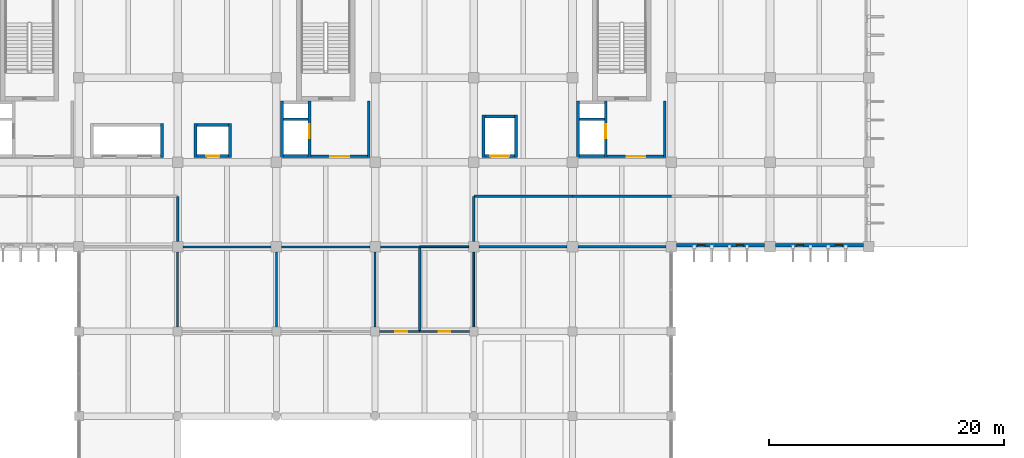
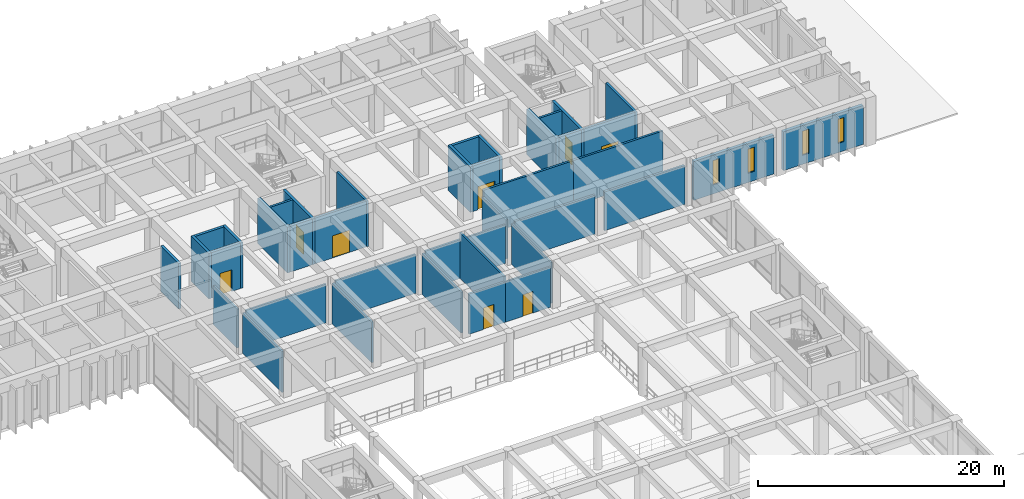
# One storey, part 37 of 52: 40 walls, 8 doors, 4 windows, 12 openings.
"""IFC4 building model written with IfcOpenShell, lengths in metres."""

from ifc_helpers import new_model, si_unit, direction, frame, frame_2d, origin, place, context, subcontext, project, spatial, rectangle, extrude, material, layer, layer_set, type_object, element, fill, save


model = new_model("IFC4")

# Units and contexts
model_context = context("Model", 3, precision=1e-05, world=origin(), true_north=direction((0.0, 1.0)))
body_context = subcontext(model_context, "Body", "Model", "MODEL_VIEW")
ifc_project = project(units=[si_unit("LENGTHUNIT", "METRE"), si_unit("AREAUNIT", "SQUARE_METRE"), si_unit("VOLUMEUNIT", "CUBIC_METRE"), si_unit("PLANEANGLEUNIT", "RADIAN"), si_unit("MASSUNIT", "GRAM", prefix="KILO")], contexts=[model_context])

# Site, building, storey
site_placement = place(None, origin())
site = spatial("IfcSite", under=ifc_project, at=site_placement, CompositionType="ELEMENT")
building_placement = place(site_placement, origin())
building = spatial("IfcBuilding", under=site, at=building_placement, Name="Kenerak Square Central Library", CompositionType="ELEMENT")
storey_placement = place(building_placement, frame((0.0, 0.0, 4.800048828125)))
storey = spatial("IfcBuildingStorey", under=building, at=storey_placement, Name="L01", CompositionType="ELEMENT", Elevation=4.800048828125)

# Wall, opening, door
ifc_material_1 = material(Name="Precast concrete C40/50", Category="concrete")
ifc_layer_1 = layer(ifc_material_1, 0.14990234375)
ifc_layer_set_1 = layer_set([ifc_layer_1], Name="Precast concrete C40/50")
wall_type_1 = type_object("IfcWallType", Name="Acoustic Blockwork Partition IW-150 C40/50", PredefinedType="PARTITIONING", material=ifc_layer_set_1)
wall_1_placement = place(storey_placement, frame((100.02490234375, 81.60009765625, 0.0), z_axis=(0.0, 0.0, 1.0), x_axis=(-1.0, 0.0, 0.0)))
wall_1 = element("IfcWall", 1, at=wall_1_placement, inside=storey, type_object=wall_type_1, Name="Interior Wall IW-L01-19-S1-B1", PredefinedType="PARTITIONING", context=body_context, shape_type="SweptSolid", body=[
    extrude(rectangle(XDim=4.224853515625, YDim=0.14990234375, at=frame_2d((2.1123046875, 0.0))), origin(), (0.0, 0.0, 1.0), 4.0),
])
opening_1_placement = place(wall_1_placement, frame((1.637451171875, 0.0, 0.0)))
opening_1 = element("IfcOpeningElement", 2, at=opening_1_placement, cuts=wall_1, Name="Opening ID-02", PredefinedType="OPENING", context=body_context, shape_type="SweptSolid", body=[
    extrude(rectangle(XDim=0.949951171875, YDim=2.14990234375, at=frame_2d((0.47509765625, 1.074951171875))), frame((0.0, 0.0849609375, 0.0), z_axis=(0.0, -1.0, 0.0), x_axis=(1.0, 0.0, 0.0)), (0.0, 0.0, 1.0), 0.169921875),
])
ifc_material_2 = material(Name="Chengal hardwood timber SG1", Category="wood")
door_type_1 = type_object("IfcDoorType", Name="Study Carrel Timber Door ID-950x2150", OperationType="NOTDEFINED", PredefinedType="DOOR", material=ifc_material_2)
door_1_placement = place(opening_1_placement, origin())
door_1 = element("IfcDoor", 3, at=door_1_placement, inside=storey, type_object=door_type_1, Name="Level 01 Individual Quiet Study Carrel Suite Door", OperationType="SINGLE_SWING_RIGHT", OverallHeight=2.14990234375, OverallWidth=0.949951171875, PredefinedType="DOOR", context=body_context, shape_type="SweptSolid", body=[
    extrude(rectangle(XDim=0.949951171875, YDim=2.14990234375, at=frame_2d((0.47509765625, 1.074951171875))), frame((0.0, 0.02490234375, 0.0), z_axis=(0.0, -1.0, 0.0), x_axis=(1.0, 0.0, 0.0)), (0.0, 0.0, 1.0), 0.050048828125),
])
fill(opening_1, door_1)

# Walls
wall_2_placement = place(storey_placement, frame((95.800048828125, 88.800048828125, 0.0), z_axis=(0.0, 0.0, 1.0), x_axis=(1.0, 0.0, 0.0)))
element("IfcWall", 4, at=wall_2_placement, inside=storey, type_object=wall_type_1, Name="Interior Wall IW-L01-19-N2-B1", PredefinedType="PARTITIONING", context=body_context, shape_type="SweptSolid", body=[
    extrude(rectangle(XDim=4.14990234375, YDim=0.14990234375, at=frame_2d((2.074951171875, 0.0))), origin(), (0.0, 0.0, 1.0), 3.849853515625),
])
wall_3_placement = place(storey_placement, frame((100.39990234375, 88.35009765625, 0.0), z_axis=(0.0, 0.0, 1.0), x_axis=(0.0, -1.0, 0.0)))
element("IfcWall", 5, at=wall_3_placement, inside=storey, type_object=wall_type_1, Name="Interior Wall IW-L01-19-E4-B1", PredefinedType="PARTITIONING", context=body_context, shape_type="SweptSolid", body=[
    extrude(rectangle(XDim=6.375, YDim=0.14990234375, at=frame_2d((3.1875, 0.0))), origin(), (0.0, 0.0, 1.0), 4.050048828125),
])

# Wall, openings, windows
ifc_material_3 = material(Name="Concrete C40/50", Category="concrete")
ifc_layer_2 = layer(ifc_material_3, 0.300048828125)
ifc_layer_set_2 = layer_set([ifc_layer_2], Name="Concrete C40/50")
wall_type_2 = type_object("IfcWallType", Name="Board-Marked Brutalist Facade Wall EW-300 C40/50", PredefinedType="SOLIDWALL", material=ifc_layer_set_2)
wall_4_placement = place(storey_placement, frame((133.550048828125, 88.949951171875, 0.0), z_axis=(0.0, 0.0, 1.0), x_axis=(-1.0, 0.0, 0.0)))
wall_4 = element("IfcWall", 6, at=wall_4_placement, inside=storey, type_object=wall_type_2, Name="Exterior Facade Wall L01 0127", PredefinedType="SOLIDWALL", context=body_context, shape_type="SweptSolid", body=[
    extrude(rectangle(XDim=7.5, YDim=0.300048828125, at=frame_2d((3.75, 0.0))), origin(), (0.0, 0.0, 1.0), 3.849853515625),
])
opening_2_placement = place(wall_4_placement, frame((1.800048828125, 0.0, 0.89990234375)))
opening_2 = element("IfcOpeningElement", 7, at=opening_2_placement, cuts=wall_4, Name="Opening W-01", PredefinedType="OPENING", context=body_context, shape_type="SweptSolid", body=[
    extrude(rectangle(XDim=0.60009765625, YDim=2.39990234375, at=frame_2d((0.300048828125, 1.199951171875))), frame((0.0, 0.159912109375, 0.0), z_axis=(0.0, -1.0, 0.0), x_axis=(1.0, 0.0, 0.0)), (0.0, 0.0, 1.0), 0.320068359375),
])
opening_3_placement = place(wall_4_placement, frame((5.10009765625, 0.0, 0.89990234375)))
opening_3 = element("IfcOpeningElement", 8, at=opening_3_placement, cuts=wall_4, Name="Opening W-01", PredefinedType="OPENING", context=body_context, shape_type="SweptSolid", body=[
    extrude(rectangle(XDim=0.60009765625, YDim=2.39990234375, at=frame_2d((0.300048828125, 1.199951171875))), frame((0.0, 0.159912109375, 0.0), z_axis=(0.0, -1.0, 0.0), x_axis=(1.0, 0.0, 0.0)), (0.0, 0.0, 1.0), 0.320068359375),
])
ifc_material_4 = material(Name="Solar-control low-E laminated double glazing", Category="glass")
window_type = type_object("IfcWindowType", Name="UV-Filtered Stack Slot Window W-01 600x2400", PartitioningType="SINGLE_PANEL", PredefinedType="WINDOW", material=ifc_material_4)
window_1_placement = place(opening_2_placement, origin())
window_1 = element("IfcWindow", 9, at=window_1_placement, inside=storey, type_object=window_type, Name="Window W-01 L01 0114", OverallHeight=2.39990234375, OverallWidth=0.60009765625, PartitioningType="SINGLE_PANEL", PredefinedType="WINDOW", context=body_context, shape_type="SweptSolid", body=[
    extrude(rectangle(XDim=0.60009765625, YDim=2.39990234375, at=frame_2d((0.300048828125, 1.199951171875))), frame((0.0, 0.030029296875, 0.0), z_axis=(0.0, -1.0, 0.0), x_axis=(1.0, 0.0, 0.0)), (0.0, 0.0, 1.0), 0.06005859375),
])
fill(opening_2, window_1)
window_2_placement = place(opening_3_placement, origin())
window_2 = element("IfcWindow", 10, at=window_2_placement, inside=storey, type_object=window_type, Name="Window W-01 L01 0115", OverallHeight=2.39990234375, OverallWidth=0.60009765625, PartitioningType="SINGLE_PANEL", PredefinedType="WINDOW", context=body_context, shape_type="SweptSolid", body=[
    extrude(rectangle(XDim=0.60009765625, YDim=2.39990234375, at=frame_2d((0.300048828125, 1.199951171875))), frame((0.0, 0.030029296875, 0.0), z_axis=(0.0, -1.0, 0.0), x_axis=(1.0, 0.0, 0.0)), (0.0, 0.0, 1.0), 0.06005859375),
])
fill(opening_3, window_2)

wall_5_placement = place(storey_placement, frame((125.14990234375, 88.949951171875, 0.0), z_axis=(0.0, 0.0, 1.0), x_axis=(-1.0, 0.0, 0.0)))
wall_5 = element("IfcWall", 11, at=wall_5_placement, inside=storey, type_object=wall_type_2, Name="Exterior Facade Wall L01 0128", PredefinedType="SOLIDWALL", context=body_context, shape_type="SweptSolid", body=[
    extrude(rectangle(XDim=7.5, YDim=0.300048828125, at=frame_2d((3.75, 0.0))), origin(), (0.0, 0.0, 1.0), 3.849853515625),
])
opening_4_placement = place(wall_5_placement, frame((1.800048828125, 0.0, 0.89990234375)))
opening_4 = element("IfcOpeningElement", 12, at=opening_4_placement, cuts=wall_5, Name="Opening W-01", PredefinedType="OPENING", context=body_context, shape_type="SweptSolid", body=[
    extrude(rectangle(XDim=0.60009765625, YDim=2.39990234375, at=frame_2d((0.300048828125, 1.199951171875))), frame((0.0, 0.159912109375, 0.0), z_axis=(0.0, -1.0, 0.0), x_axis=(1.0, 0.0, 0.0)), (0.0, 0.0, 1.0), 0.320068359375),
])
opening_5_placement = place(wall_5_placement, frame((5.10009765625, 0.0, 0.89990234375)))
opening_5 = element("IfcOpeningElement", 13, at=opening_5_placement, cuts=wall_5, Name="Opening W-01", PredefinedType="OPENING", context=body_context, shape_type="SweptSolid", body=[
    extrude(rectangle(XDim=0.60009765625, YDim=2.39990234375, at=frame_2d((0.300048828125, 1.199951171875))), frame((0.0, 0.159912109375, 0.0), z_axis=(0.0, -1.0, 0.0), x_axis=(1.0, 0.0, 0.0)), (0.0, 0.0, 1.0), 0.320068359375),
])
window_3_placement = place(opening_4_placement, origin())
window_3 = element("IfcWindow", 14, at=window_3_placement, inside=storey, type_object=window_type, Name="Window W-01 L01 0116", OverallHeight=2.39990234375, OverallWidth=0.60009765625, PartitioningType="SINGLE_PANEL", PredefinedType="WINDOW", context=body_context, shape_type="SweptSolid", body=[
    extrude(rectangle(XDim=0.60009765625, YDim=2.39990234375, at=frame_2d((0.300048828125, 1.199951171875))), frame((0.0, 0.030029296875, 0.0), z_axis=(0.0, -1.0, 0.0), x_axis=(1.0, 0.0, 0.0)), (0.0, 0.0, 1.0), 0.06005859375),
])
fill(opening_4, window_3)
window_4_placement = place(opening_5_placement, origin())
window_4 = element("IfcWindow", 15, at=window_4_placement, inside=storey, type_object=window_type, Name="Window W-01 L01 0117", OverallHeight=2.39990234375, OverallWidth=0.60009765625, PartitioningType="SINGLE_PANEL", PredefinedType="WINDOW", context=body_context, shape_type="SweptSolid", body=[
    extrude(rectangle(XDim=0.60009765625, YDim=2.39990234375, at=frame_2d((0.300048828125, 1.199951171875))), frame((0.0, 0.030029296875, 0.0), z_axis=(0.0, -1.0, 0.0), x_axis=(1.0, 0.0, 0.0)), (0.0, 0.0, 1.0), 0.06005859375),
])
fill(opening_5, window_4)

# Walls
ifc_layer_3 = layer(ifc_material_3, 0.199951171875)
ifc_layer_set_3 = layer_set([ifc_layer_3], Name="Concrete C40/50")
wall_type_3 = type_object("IfcWallType", Name="Lobby Compartment Wall LW-200 C40/50", PredefinedType="SOLIDWALL", material=ifc_layer_set_3)
wall_6_placement = place(storey_placement, frame((84.199951171875, 99.64990234375, 0.0), z_axis=(0.0, 0.0, 1.0), x_axis=(1.0, 0.0, 0.0)))
element("IfcWall", 16, at=wall_6_placement, inside=storey, type_object=wall_type_3, Name="Riser Divider Wall C2 L01", PredefinedType="SOLIDWALL", context=body_context, shape_type="SweptSolid", body=[
    extrude(rectangle(XDim=2.10009765625, YDim=0.199951171875, at=frame_2d((1.050048828125, 0.0))), origin(), (0.0, 0.0, 1.0), 4.52490234375),
])
wall_7_placement = place(storey_placement, frame((91.449951171875, 101.199951171875, 0.0), z_axis=(0.0, 0.0, 1.0), x_axis=(0.0, -1.0, 0.0)))
element("IfcWall", 17, at=wall_7_placement, inside=storey, type_object=wall_type_3, Name="Firefighting Lobby East Wall C2 L01", PredefinedType="SOLIDWALL", context=body_context, shape_type="SweptSolid", body=[
    extrude(rectangle(XDim=4.800048828125, YDim=0.199951171875, at=frame_2d((2.39990234375, 0.0))), origin(), (0.0, 0.0, 1.0), 4.52490234375),
])

# Wall, opening, door
wall_8_placement = place(storey_placement, frame((91.35009765625, 96.5, 0.0), z_axis=(0.0, 0.0, 1.0), x_axis=(-1.0, 0.0, 0.0)))
wall_8 = element("IfcWall", 18, at=wall_8_placement, inside=storey, type_object=wall_type_3, Name="Firefighting Lobby South Wall C2 L01", PredefinedType="SOLIDWALL", context=body_context, shape_type="SweptSolid", body=[
    extrude(rectangle(XDim=4.800048828125, YDim=0.199951171875, at=frame_2d((2.39990234375, 0.0))), origin(), (0.0, 0.0, 1.0), 4.52490234375),
])
opening_6_placement = place(wall_8_placement, frame((1.550048828125, 0.0, 0.0)))
opening_6 = element("IfcOpeningElement", 19, at=opening_6_placement, cuts=wall_8, Name="Opening D-FFL", PredefinedType="OPENING", context=body_context, shape_type="SweptSolid", body=[
    extrude(rectangle(XDim=1.60009765625, YDim=2.199951171875, at=frame_2d((0.800048828125, 1.10009765625))), frame((0.0, 0.10986328125, 0.0), z_axis=(0.0, -1.0, 0.0), x_axis=(1.0, 0.0, 0.0)), (0.0, 0.0, 1.0), 0.219970703125),
])
ifc_material_5 = material(Name="Steel S355", Category="steel")
door_type_2 = type_object("IfcDoorType", Name="Firefighting Lobby Double Door FD-1600x2200 FD60S", OperationType="NOTDEFINED", PredefinedType="DOOR", material=ifc_material_5)
door_2_placement = place(opening_6_placement, frame((1.60009765625, 0.0, 0.0), z_axis=(0.0, 0.0, 1.0), x_axis=(-1.0, 0.0, 0.0)))
door_2 = element("IfcDoor", 20, at=door_2_placement, inside=storey, type_object=door_type_2, Name="Firefighting Lobby Door C2 L01", OperationType="DOUBLE_DOOR_SINGLE_SWING", OverallHeight=2.199951171875, OverallWidth=1.60009765625, PredefinedType="DOOR", context=body_context, shape_type="SweptSolid", body=[
    extrude(rectangle(XDim=1.60009765625, YDim=2.199951171875, at=frame_2d((0.800048828125, 1.10009765625))), frame((0.0, 0.02490234375, 0.0), z_axis=(0.0, -1.0, 0.0), x_axis=(1.0, 0.0, 0.0)), (0.0, 0.0, 1.0), 0.050048828125),
])
fill(opening_6, door_2)

# Walls
wall_9_placement = place(storey_placement, frame((109.39990234375, 99.64990234375, 0.0), z_axis=(0.0, 0.0, 1.0), x_axis=(1.0, 0.0, 0.0)))
element("IfcWall", 21, at=wall_9_placement, inside=storey, type_object=wall_type_3, Name="Riser Divider Wall C3 L01", PredefinedType="SOLIDWALL", context=body_context, shape_type="SweptSolid", body=[
    extrude(rectangle(XDim=2.10009765625, YDim=0.199951171875, at=frame_2d((1.050048828125, 0.0))), origin(), (0.0, 0.0, 1.0), 4.52490234375),
])
wall_10_placement = place(storey_placement, frame((116.64990234375, 101.199951171875, 0.0), z_axis=(0.0, 0.0, 1.0), x_axis=(0.0, -1.0, 0.0)))
element("IfcWall", 22, at=wall_10_placement, inside=storey, type_object=wall_type_3, Name="Firefighting Lobby East Wall C3 L01", PredefinedType="SOLIDWALL", context=body_context, shape_type="SweptSolid", body=[
    extrude(rectangle(XDim=4.800048828125, YDim=0.199951171875, at=frame_2d((2.39990234375, 0.0))), origin(), (0.0, 0.0, 1.0), 4.52490234375),
])

# Wall, opening, door
wall_11_placement = place(storey_placement, frame((116.550048828125, 96.5, 0.0), z_axis=(0.0, 0.0, 1.0), x_axis=(-1.0, 0.0, 0.0)))
wall_11 = element("IfcWall", 23, at=wall_11_placement, inside=storey, type_object=wall_type_3, Name="Firefighting Lobby South Wall C3 L01", PredefinedType="SOLIDWALL", context=body_context, shape_type="SweptSolid", body=[
    extrude(rectangle(XDim=4.800048828125, YDim=0.199951171875, at=frame_2d((2.39990234375, 0.0))), origin(), (0.0, 0.0, 1.0), 4.52490234375),
])
opening_7_placement = place(wall_11_placement, frame((1.550048828125, 0.0, 0.0)))
opening_7 = element("IfcOpeningElement", 24, at=opening_7_placement, cuts=wall_11, Name="Opening D-FFL", PredefinedType="OPENING", context=body_context, shape_type="SweptSolid", body=[
    extrude(rectangle(XDim=1.60009765625, YDim=2.199951171875, at=frame_2d((0.800048828125, 1.10009765625))), frame((0.0, 0.10986328125, 0.0), z_axis=(0.0, -1.0, 0.0), x_axis=(1.0, 0.0, 0.0)), (0.0, 0.0, 1.0), 0.219970703125),
])
door_3_placement = place(opening_7_placement, frame((1.60009765625, 0.0, 0.0), z_axis=(0.0, 0.0, 1.0), x_axis=(-1.0, 0.0, 0.0)))
door_3 = element("IfcDoor", 25, at=door_3_placement, inside=storey, type_object=door_type_2, Name="Firefighting Lobby Door C3 L01", OperationType="DOUBLE_DOOR_SINGLE_SWING", OverallHeight=2.199951171875, OverallWidth=1.60009765625, PredefinedType="DOOR", context=body_context, shape_type="SweptSolid", body=[
    extrude(rectangle(XDim=1.60009765625, YDim=2.199951171875, at=frame_2d((0.800048828125, 1.10009765625))), frame((0.0, 0.02490234375, 0.0), z_axis=(0.0, -1.0, 0.0), x_axis=(1.0, 0.0, 0.0)), (0.0, 0.0, 1.0), 0.050048828125),
])
fill(opening_7, door_3)

# Walls
ifc_layer_4 = layer(ifc_material_1, 0.199951171875)
ifc_layer_set_4 = layer_set([ifc_layer_4], Name="Precast concrete C40/50")
wall_type_4 = type_object("IfcWallType", Name="Protected Corridor Fire Wall IW-200 C40/50", PredefinedType="PARTITIONING", material=ifc_layer_set_4)
wall_12_placement = place(storey_placement, frame((100.39990234375, 93.10009765625, 0.0), z_axis=(0.0, 0.0, 1.0), x_axis=(1.0, 0.0, 0.0)))
element("IfcWall", 26, at=wall_12_placement, inside=storey, type_object=wall_type_4, Name="Interior Wall IW-L01-11-N2-B1", PredefinedType="PARTITIONING", context=body_context, shape_type="SweptSolid", body=[
    extrude(rectangle(XDim=8.400146484375, YDim=0.199951171875, at=frame_2d((4.2001953125, 0.0))), origin(), (0.0, 0.0, 1.0), 4.5),
])
wall_13_placement = place(storey_placement, frame((108.800048828125, 93.10009765625, 0.0), z_axis=(0.0, 0.0, 1.0), x_axis=(1.0, 0.0, 0.0)))
element("IfcWall", 27, at=wall_13_placement, inside=storey, type_object=wall_type_4, Name="Interior Wall IW-L01-11-N2-B2", PredefinedType="PARTITIONING", context=body_context, shape_type="SweptSolid", body=[
    extrude(rectangle(XDim=8.39990234375, YDim=0.199951171875, at=frame_2d((4.199951171875, 0.0))), origin(), (0.0, 0.0, 1.0), 4.5),
])
wall_14_placement = place(storey_placement, frame((75.199951171875, 93.10009765625, 0.0), z_axis=(0.0, 0.0, 1.0), x_axis=(0.0, -1.0, 0.0)))
element("IfcWall", 28, at=wall_14_placement, inside=storey, type_object=wall_type_4, Name="Interior Wall IW-L01-10-E4-B1", PredefinedType="PARTITIONING", context=body_context, shape_type="SweptSolid", body=[
    extrude(rectangle(XDim=3.85009765625, YDim=0.199951171875, at=frame_2d((1.925048828125, 0.0))), origin(), (0.0, 0.0, 1.0), 3.849853515625),
])
for number, where, z_axis, x_axis, name in (
    (29, (116.75, 88.800048828125, 0.0), (0.0, 0.0, 1.0), (-1.0, 0.0, 0.0), "Interior Wall IW-L01-11-S1-B3"),
    (30, (108.35009765625, 88.800048828125, 0.0), (0.0, 0.0, 1.0), (-1.0, 0.0, 0.0), "Interior Wall IW-L01-11-S1-B4"),
):
    element("IfcWall", number, at=place(storey_placement, frame(where, z_axis=z_axis, x_axis=x_axis)), inside=storey, type_object=wall_type_4, Name=name, PredefinedType="PARTITIONING", context=body_context, shape_type="SweptSolid", body=[
        extrude(rectangle(XDim=7.5, YDim=0.199951171875, at=frame_2d((3.75, 0.0))), origin(), (0.0, 0.0, 1.0), 3.849853515625),
    ])
wall_15_placement = place(storey_placement, frame((100.39990234375, 89.25, 0.0), z_axis=(0.0, 0.0, 1.0), x_axis=(0.0, 1.0, 0.0)))
element("IfcWall", 31, at=wall_15_placement, inside=storey, type_object=wall_type_4, Name="Interior Wall IW-L01-11-W3-B1", PredefinedType="PARTITIONING", context=body_context, shape_type="SweptSolid", body=[
    extrude(rectangle(XDim=3.85009765625, YDim=0.199951171875, at=frame_2d((1.925048828125, 0.0))), origin(), (0.0, 0.0, 1.0), 3.849853515625),
])

# Wall, opening, door
ifc_layer_5 = layer(ifc_material_1, 0.175048828125)
ifc_layer_set_5 = layer_set([ifc_layer_5], Name="Precast concrete C40/50")
wall_type_5 = type_object("IfcWallType", Name="Sanitary Plumbing Chase Wall IW-175 C40/50", PredefinedType="PLUMBINGWALL", material=ifc_layer_set_5)
wall_16_placement = place(storey_placement, frame((95.800048828125, 81.60009765625, 0.0), z_axis=(0.0, 0.0, 1.0), x_axis=(-1.0, 0.0, 0.0)))
wall_16 = element("IfcWall", 32, at=wall_16_placement, inside=storey, type_object=wall_type_5, Name="Interior Wall IW-L01-15-S1-B1", PredefinedType="PLUMBINGWALL", context=body_context, shape_type="SweptSolid", body=[
    extrude(rectangle(XDim=3.425048828125, YDim=0.175048828125, at=frame_2d((1.71240234375, 0.0))), origin(), (0.0, 0.0, 1.0), 4.0),
])
opening_8_placement = place(wall_16_placement, frame((1.074951171875, 0.0, 0.0)))
opening_8 = element("IfcOpeningElement", 33, at=opening_8_placement, cuts=wall_16, Name="Opening ID-03", PredefinedType="OPENING", context=body_context, shape_type="SweptSolid", body=[
    extrude(rectangle(XDim=1.0, YDim=2.14990234375, at=frame_2d((0.5, 1.074951171875))), frame((0.0, 0.097412109375, 0.0), z_axis=(0.0, -1.0, 0.0), x_axis=(1.0, 0.0, 0.0)), (0.0, 0.0, 1.0), 0.195068359375),
])
door_type_3 = type_object("IfcDoorType", Name="Accessible OKU WC Door ID-1000x2150", OperationType="NOTDEFINED", PredefinedType="DOOR", material=ifc_material_2)
door_4_placement = place(opening_8_placement, origin())
door_4 = element("IfcDoor", 34, at=door_4_placement, inside=storey, type_object=door_type_3, Name="Level 01 Accessible WC Door", OperationType="SINGLE_SWING_LEFT", OverallHeight=2.14990234375, OverallWidth=1.0, PredefinedType="DOOR", context=body_context, shape_type="SweptSolid", body=[
    extrude(rectangle(XDim=1.0, YDim=2.14990234375, at=frame_2d((0.5, 1.074951171875))), frame((0.0, 0.02490234375, 0.0), z_axis=(0.0, -1.0, 0.0), x_axis=(1.0, 0.0, 0.0)), (0.0, 0.0, 1.0), 0.050048828125),
])
fill(opening_8, door_4)

# Walls
wall_17_placement = place(storey_placement, frame((75.64990234375, 88.800048828125, 0.0), z_axis=(0.0, 0.0, 1.0), x_axis=(1.0, 0.0, 0.0)))
element("IfcWall", 35, at=wall_17_placement, inside=storey, type_object=wall_type_5, Name="Interior Wall IW-L01-13-N2-B1", PredefinedType="PLUMBINGWALL", context=body_context, shape_type="SweptSolid", body=[
    extrude(rectangle(XDim=7.5, YDim=0.175048828125, at=frame_2d((3.75, 0.0))), origin(), (0.0, 0.0, 1.0), 3.849853515625),
])
for number, where, z_axis, x_axis, name in (
    (36, (75.199951171875, 81.97509765625, 0.0), (0.0, 0.0, 1.0), (0.0, 1.0, 0.0), "Interior Wall IW-L01-13-W3-B1"),
    (37, (83.60009765625, 88.35009765625, 0.0), (0.0, 0.0, 1.0), (0.0, -1.0, 0.0), "Interior Wall IW-L01-13-E4-B1"),
):
    element("IfcWall", number, at=place(storey_placement, frame(where, z_axis=z_axis, x_axis=x_axis)), inside=storey, type_object=wall_type_5, Name=name, PredefinedType="PLUMBINGWALL", context=body_context, shape_type="SweptSolid", body=[
        extrude(rectangle(XDim=6.375, YDim=0.175048828125, at=frame_2d((3.1875, 0.0))), origin(), (0.0, 0.0, 1.0), 4.050048828125),
    ])
wall_18_placement = place(storey_placement, frame((84.050048828125, 88.800048828125, 0.0), z_axis=(0.0, 0.0, 1.0), x_axis=(1.0, 0.0, 0.0)))
element("IfcWall", 38, at=wall_18_placement, inside=storey, type_object=wall_type_5, Name="Interior Wall IW-L01-14-N2-B1", PredefinedType="PLUMBINGWALL", context=body_context, shape_type="SweptSolid", body=[
    extrude(rectangle(XDim=7.5, YDim=0.175048828125, at=frame_2d((3.75, 0.0))), origin(), (0.0, 0.0, 1.0), 3.849853515625),
])
wall_19_placement = place(storey_placement, frame((92.0, 88.35009765625, 0.0), z_axis=(0.0, 0.0, 1.0), x_axis=(0.0, -1.0, 0.0)))
element("IfcWall", 39, at=wall_19_placement, inside=storey, type_object=wall_type_5, Name="Interior Wall IW-L01-14-E4-B1", PredefinedType="PLUMBINGWALL", context=body_context, shape_type="SweptSolid", body=[
    extrude(rectangle(XDim=6.375, YDim=0.175048828125, at=frame_2d((3.1875, 0.0))), origin(), (0.0, 0.0, 1.0), 4.050048828125),
])
wall_20_placement = place(storey_placement, frame((92.449951171875, 88.800048828125, 0.0), z_axis=(0.0, 0.0, 1.0), x_axis=(1.0, 0.0, 0.0)))
element("IfcWall", 40, at=wall_20_placement, inside=storey, type_object=wall_type_5, Name="Interior Wall IW-L01-15-N2-B1", PredefinedType="PLUMBINGWALL", context=body_context, shape_type="SweptSolid", body=[
    extrude(rectangle(XDim=3.35009765625, YDim=0.175048828125, at=frame_2d((1.675048828125, 0.0))), origin(), (0.0, 0.0, 1.0), 3.849853515625),
])
wall_21_placement = place(storey_placement, frame((95.800048828125, 88.800048828125, 0.0), z_axis=(0.0, 0.0, 1.0), x_axis=(0.0, -1.0, 0.0)))
element("IfcWall", 41, at=wall_21_placement, inside=storey, type_object=wall_type_5, Name="Interior Wall IW-L01-15-E4-B1", PredefinedType="PLUMBINGWALL", context=body_context, shape_type="SweptSolid", body=[
    extrude(rectangle(XDim=7.199951171875, YDim=0.175048828125, at=frame_2d((3.60009765625, 0.0))), origin(), (0.0, 0.0, 1.0), 4.5),
])
ifc_layer_6 = layer(ifc_material_3, 0.25)
ifc_layer_set_6 = layer_set([ifc_layer_6], Name="Concrete C40/50")
wall_type_6 = type_object("IfcWallType", Name="Shaft Enclosure Wall SW-250 C40/50", PredefinedType="SOLIDWALL", material=ifc_layer_set_6)
wall_22_placement = place(storey_placement, frame((84.074951171875, 96.39990234375, 0.0), z_axis=(0.0, 0.0, 1.0), x_axis=(0.0, 1.0, 0.0)))
element("IfcWall", 42, at=wall_22_placement, inside=storey, type_object=wall_type_6, Name="Core Wall FLW-C2 L01 West", PredefinedType="SOLIDWALL", context=body_context, shape_type="SweptSolid", body=[
    extrude(rectangle(XDim=4.800048828125, YDim=0.25, at=frame_2d((2.39990234375, 0.0))), origin(), (0.0, 0.0, 1.0), 4.52490234375),
])

# Wall, opening, door
wall_23_placement = place(storey_placement, frame((86.425048828125, 101.199951171875, 0.0), z_axis=(0.0, 0.0, 1.0), x_axis=(0.0, -1.0, 0.0)))
wall_23 = element("IfcWall", 43, at=wall_23_placement, inside=storey, type_object=wall_type_6, Name="Core Wall FLW-C2 L01 East", PredefinedType="SOLIDWALL", context=body_context, shape_type="SweptSolid", body=[
    extrude(rectangle(XDim=4.800048828125, YDim=0.25, at=frame_2d((2.39990234375, 0.0))), origin(), (0.0, 0.0, 1.0), 4.52490234375),
])
opening_9_placement = place(wall_23_placement, frame((1.949951171875, 0.0, 0.0)))
opening_9 = element("IfcOpeningElement", 44, at=opening_9_placement, cuts=wall_23, Name="Opening LD-FL", PredefinedType="OPENING", context=body_context, shape_type="SweptSolid", body=[
    extrude(rectangle(XDim=1.199951171875, YDim=2.199951171875, at=frame_2d((0.60009765625, 1.10009765625))), frame((0.0, 0.135009765625, 0.0), z_axis=(0.0, -1.0, 0.0), x_axis=(1.0, 0.0, 0.0)), (0.0, 0.0, 1.0), 0.27001953125),
])
door_type_4 = type_object("IfcDoorType", Name="Firefighting Lift Sliding Landing Door LD-1200x2200 FD120S", OperationType="NOTDEFINED", PredefinedType="DOOR", material=ifc_material_5)
door_5_placement = place(opening_9_placement, origin())
door_5 = element("IfcDoor", 45, at=door_5_placement, inside=storey, type_object=door_type_4, Name="Firefighting Lift Landing Door FL-02 L01", OperationType="SLIDING_TO_LEFT", OverallHeight=2.199951171875, OverallWidth=1.199951171875, PredefinedType="DOOR", context=body_context, shape_type="SweptSolid", body=[
    extrude(rectangle(XDim=1.199951171875, YDim=2.199951171875, at=frame_2d((0.60009765625, 1.10009765625))), frame((0.0, 0.02490234375, 0.0), z_axis=(0.0, -1.0, 0.0), x_axis=(1.0, 0.0, 0.0)), (0.0, 0.0, 1.0), 0.050048828125),
])
fill(opening_9, door_5)

# Walls
wall_24_placement = place(storey_placement, frame((86.300048828125, 96.52490234375, 0.0), z_axis=(0.0, 0.0, 1.0), x_axis=(-1.0, 0.0, 0.0)))
element("IfcWall", 46, at=wall_24_placement, inside=storey, type_object=wall_type_6, Name="Core Wall FLW-C2 L01 South", PredefinedType="SOLIDWALL", context=body_context, shape_type="SweptSolid", body=[
    extrude(rectangle(XDim=2.10009765625, YDim=0.25, at=frame_2d((1.050048828125, 0.0))), origin(), (0.0, 0.0, 1.0), 4.52490234375),
])
wall_25_placement = place(storey_placement, frame((109.27490234375, 96.39990234375, 0.0), z_axis=(0.0, 0.0, 1.0), x_axis=(0.0, 1.0, 0.0)))
element("IfcWall", 47, at=wall_25_placement, inside=storey, type_object=wall_type_6, Name="Core Wall FLW-C3 L01 West", PredefinedType="SOLIDWALL", context=body_context, shape_type="SweptSolid", body=[
    extrude(rectangle(XDim=4.800048828125, YDim=0.25, at=frame_2d((2.39990234375, 0.0))), origin(), (0.0, 0.0, 1.0), 4.52490234375),
])

# Wall, opening, door
wall_26_placement = place(storey_placement, frame((111.625, 101.199951171875, 0.0), z_axis=(0.0, 0.0, 1.0), x_axis=(0.0, -1.0, 0.0)))
wall_26 = element("IfcWall", 48, at=wall_26_placement, inside=storey, type_object=wall_type_6, Name="Core Wall FLW-C3 L01 East", PredefinedType="SOLIDWALL", context=body_context, shape_type="SweptSolid", body=[
    extrude(rectangle(XDim=4.800048828125, YDim=0.25, at=frame_2d((2.39990234375, 0.0))), origin(), (0.0, 0.0, 1.0), 4.52490234375),
])
opening_10_placement = place(wall_26_placement, frame((1.949951171875, 0.0, 0.0)))
opening_10 = element("IfcOpeningElement", 49, at=opening_10_placement, cuts=wall_26, Name="Opening LD-FL", PredefinedType="OPENING", context=body_context, shape_type="SweptSolid", body=[
    extrude(rectangle(XDim=1.199951171875, YDim=2.199951171875, at=frame_2d((0.60009765625, 1.10009765625))), frame((0.0, 0.135009765625, 0.0), z_axis=(0.0, -1.0, 0.0), x_axis=(1.0, 0.0, 0.0)), (0.0, 0.0, 1.0), 0.27001953125),
])
door_6_placement = place(opening_10_placement, origin())
door_6 = element("IfcDoor", 50, at=door_6_placement, inside=storey, type_object=door_type_4, Name="Firefighting Lift Landing Door FL-03 L01", OperationType="SLIDING_TO_LEFT", OverallHeight=2.199951171875, OverallWidth=1.199951171875, PredefinedType="DOOR", context=body_context, shape_type="SweptSolid", body=[
    extrude(rectangle(XDim=1.199951171875, YDim=2.199951171875, at=frame_2d((0.60009765625, 1.10009765625))), frame((0.0, 0.02490234375, 0.0), z_axis=(0.0, -1.0, 0.0), x_axis=(1.0, 0.0, 0.0)), (0.0, 0.0, 1.0), 0.050048828125),
])
fill(opening_10, door_6)

# Walls
wall_27_placement = place(storey_placement, frame((111.5, 96.52490234375, 0.0), z_axis=(0.0, 0.0, 1.0), x_axis=(-1.0, 0.0, 0.0)))
element("IfcWall", 51, at=wall_27_placement, inside=storey, type_object=wall_type_6, Name="Core Wall FLW-C3 L01 South", PredefinedType="SOLIDWALL", context=body_context, shape_type="SweptSolid", body=[
    extrude(rectangle(XDim=2.10009765625, YDim=0.25, at=frame_2d((1.050048828125, 0.0))), origin(), (0.0, 0.0, 1.0), 4.52490234375),
])
for number, where, z_axis, x_axis, name in (
    (52, (73.875, 99.300048828125, 0.0), (0.0, 0.0, 1.0), (0.0, -1.0, 0.0), "Core Wall PLBANKW L01 East"),
    (53, (76.72509765625, 96.39990234375, 0.0), (0.0, 0.0, 1.0), (0.0, 1.0, 0.0), "Core Wall PLBANKE L01 West"),
    (54, (79.675048828125, 99.300048828125, 0.0), (0.0, 0.0, 1.0), (0.0, -1.0, 0.0), "Core Wall PLBANKE L01 East"),
):
    element("IfcWall", number, at=place(storey_placement, frame(where, z_axis=z_axis, x_axis=x_axis)), inside=storey, type_object=wall_type_6, Name=name, PredefinedType="SOLIDWALL", context=body_context, shape_type="SweptSolid", body=[
        extrude(rectangle(XDim=2.900146484375, YDim=0.25, at=frame_2d((1.4501953125, 0.0))), origin(), (0.0, 0.0, 1.0), 4.5),
    ])

# Wall, opening, door
wall_28_placement = place(storey_placement, frame((79.550048828125, 96.52490234375, 0.0), z_axis=(0.0, 0.0, 1.0), x_axis=(-1.0, 0.0, 0.0)))
wall_28 = element("IfcWall", 55, at=wall_28_placement, inside=storey, type_object=wall_type_6, Name="Core Wall PLBANKE L01 South", PredefinedType="SOLIDWALL", context=body_context, shape_type="SweptSolid", body=[
    extrude(rectangle(XDim=2.699951171875, YDim=0.25, at=frame_2d((1.35009765625, 0.0))), origin(), (0.0, 0.0, 1.0), 4.5),
])
opening_11_placement = place(wall_28_placement, frame((0.800048828125, 0.0, 0.0)))
opening_11 = element("IfcOpeningElement", 56, at=opening_11_placement, cuts=wall_28, Name="Opening LD-PL", PredefinedType="OPENING", context=body_context, shape_type="SweptSolid", body=[
    extrude(rectangle(XDim=1.10009765625, YDim=2.14990234375, at=frame_2d((0.550048828125, 1.074951171875))), frame((0.0, 0.135009765625, 0.0), z_axis=(0.0, -1.0, 0.0), x_axis=(1.0, 0.0, 0.0)), (0.0, 0.0, 1.0), 0.27001953125),
])
door_type_5 = type_object("IfcDoorType", Name="Passenger Lift Sliding Landing Door LD-1100x2150", OperationType="NOTDEFINED", PredefinedType="DOOR", material=ifc_material_5)
door_7_placement = place(opening_11_placement, origin())
door_7 = element("IfcDoor", 57, at=door_7_placement, inside=storey, type_object=door_type_5, Name="Passenger Lift Landing Door PL-03 L01", OperationType="SLIDING_TO_LEFT", OverallHeight=2.14990234375, OverallWidth=1.10009765625, PredefinedType="DOOR", context=body_context, shape_type="SweptSolid", body=[
    extrude(rectangle(XDim=1.10009765625, YDim=2.14990234375, at=frame_2d((0.550048828125, 1.074951171875))), frame((0.0, 0.02490234375, 0.0), z_axis=(0.0, -1.0, 0.0), x_axis=(1.0, 0.0, 0.0)), (0.0, 0.0, 1.0), 0.050048828125),
])
fill(opening_11, door_7)

# Walls
wall_29_placement = place(storey_placement, frame((76.85009765625, 99.175048828125, 0.0), z_axis=(0.0, 0.0, 1.0), x_axis=(1.0, 0.0, 0.0)))
element("IfcWall", 58, at=wall_29_placement, inside=storey, type_object=wall_type_6, Name="Core Wall PLBANKE L01 North", PredefinedType="SOLIDWALL", context=body_context, shape_type="SweptSolid", body=[
    extrude(rectangle(XDim=2.699951171875, YDim=0.25, at=frame_2d((1.35009765625, 0.0))), origin(), (0.0, 0.0, 1.0), 4.5),
])
for number, where, z_axis, x_axis, name in (
    (59, (101.22509765625, 96.39990234375, 0.0), (0.0, 0.0, 1.0), (0.0, 1.0, 0.0), "Core Wall GLSHAFT L01 West"),
    (60, (103.97509765625, 100.0, 0.0), (0.0, 0.0, 1.0), (0.0, -1.0, 0.0), "Core Wall GLSHAFT L01 East"),
):
    element("IfcWall", number, at=place(storey_placement, frame(where, z_axis=z_axis, x_axis=x_axis)), inside=storey, type_object=wall_type_6, Name=name, PredefinedType="SOLIDWALL", context=body_context, shape_type="SweptSolid", body=[
        extrude(rectangle(XDim=3.60009765625, YDim=0.25, at=frame_2d((1.800048828125, 0.0))), origin(), (0.0, 0.0, 1.0), 4.5),
    ])

# Wall, opening, door
wall_30_placement = place(storey_placement, frame((103.85009765625, 96.52490234375, 0.0), z_axis=(0.0, 0.0, 1.0), x_axis=(-1.0, 0.0, 0.0)))
wall_30 = element("IfcWall", 61, at=wall_30_placement, inside=storey, type_object=wall_type_6, Name="Core Wall GLSHAFT L01 South", PredefinedType="SOLIDWALL", context=body_context, shape_type="SweptSolid", body=[
    extrude(rectangle(XDim=2.5, YDim=0.25, at=frame_2d((1.25, 0.0))), origin(), (0.0, 0.0, 1.0), 4.5),
])
opening_12_placement = place(wall_30_placement, frame((0.449951171875, 0.0, 0.0)))
opening_12 = element("IfcOpeningElement", 62, at=opening_12_placement, cuts=wall_30, Name="Opening LD-GL", PredefinedType="OPENING", context=body_context, shape_type="SweptSolid", body=[
    extrude(rectangle(XDim=1.60009765625, YDim=2.300048828125, at=frame_2d((0.800048828125, 1.14990234375))), frame((0.0, 0.135009765625, 0.0), z_axis=(0.0, -1.0, 0.0), x_axis=(1.0, 0.0, 0.0)), (0.0, 0.0, 1.0), 0.27001953125),
])
door_type_6 = type_object("IfcDoorType", Name="Goods Lift Sliding Landing Door LD-1600x2300 FD120S", OperationType="NOTDEFINED", PredefinedType="DOOR", material=ifc_material_5)
door_8_placement = place(opening_12_placement, origin())
door_8 = element("IfcDoor", 63, at=door_8_placement, inside=storey, type_object=door_type_6, Name="Goods Lift Landing Door GL-01 L01", OperationType="SLIDING_TO_LEFT", OverallHeight=2.300048828125, OverallWidth=1.60009765625, PredefinedType="DOOR", context=body_context, shape_type="SweptSolid", body=[
    extrude(rectangle(XDim=1.60009765625, YDim=2.300048828125, at=frame_2d((0.800048828125, 1.14990234375))), frame((0.0, 0.02490234375, 0.0), z_axis=(0.0, -1.0, 0.0), x_axis=(1.0, 0.0, 0.0)), (0.0, 0.0, 1.0), 0.050048828125),
])
fill(opening_12, door_8)

# Wall
wall_31_placement = place(storey_placement, frame((101.35009765625, 99.875, 0.0), z_axis=(0.0, 0.0, 1.0), x_axis=(1.0, 0.0, 0.0)))
element("IfcWall", 64, at=wall_31_placement, inside=storey, type_object=wall_type_6, Name="Core Wall GLSHAFT L01 North", PredefinedType="SOLIDWALL", context=body_context, shape_type="SweptSolid", body=[
    extrude(rectangle(XDim=2.5, YDim=0.25, at=frame_2d((1.25, 0.0))), origin(), (0.0, 0.0, 1.0), 4.5),
])

save(model, "model.ifc")
